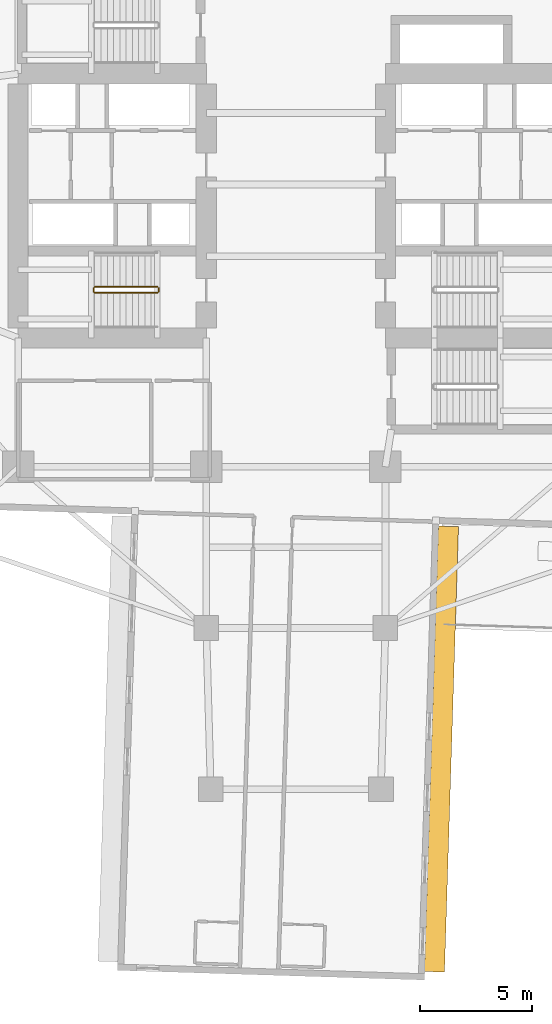
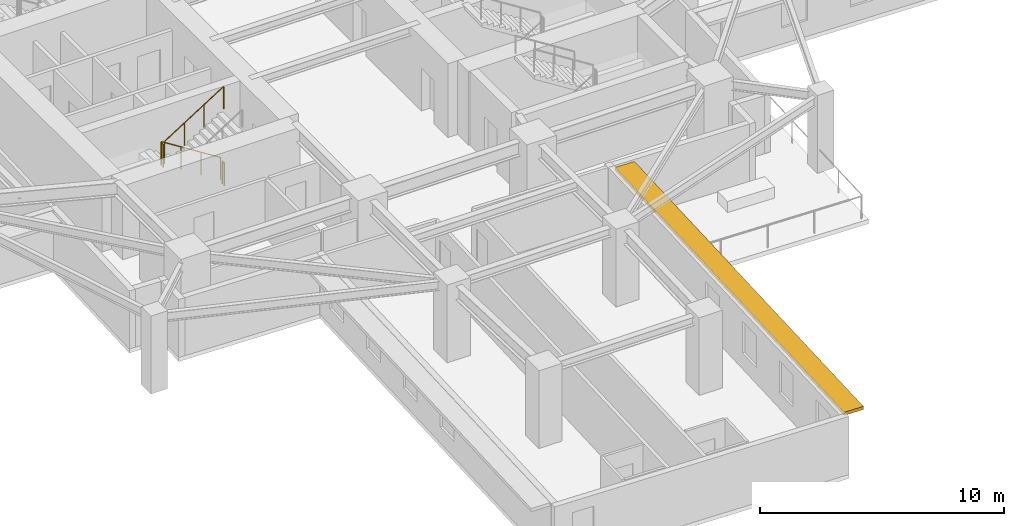
# One storey, part 10 of 13: 4 railings, 1 shading device.
"""IFC4 building model written with IfcOpenShell, lengths in metres."""

from ifc_helpers import new_model, si_unit, direction, frame, origin, origin_2d, place, context, subcontext, project, spatial, rectangle, circle, extrude, material, layer, layer_set, type_object, element, save


model = new_model("IFC4")

# Units and contexts
model_context = context("Model", 3, precision=1e-05, world=origin(), true_north=direction((0.0, 1.0)))
body_context = subcontext(model_context, "Body", "Model", "MODEL_VIEW")
ifc_project = project(units=[si_unit("LENGTHUNIT", "METRE"), si_unit("AREAUNIT", "SQUARE_METRE"), si_unit("VOLUMEUNIT", "CUBIC_METRE"), si_unit("PLANEANGLEUNIT", "RADIAN"), si_unit("MASSUNIT", "GRAM", prefix="KILO")], contexts=[model_context])

# Site, building, storey
site_placement = place(None, origin())
site = spatial("IfcSite", under=ifc_project, at=site_placement, CompositionType="ELEMENT")
building_placement = place(site_placement, origin())
building = spatial("IfcBuilding", under=site, at=building_placement, Name="Qingluan Cross Belvedere", CompositionType="ELEMENT")
storey_placement = place(building_placement, frame((0.0, 0.0, 71.699951171875)))
storey = spatial("IfcBuildingStorey", under=building, at=storey_placement, Name="L18", CompositionType="ELEMENT", Elevation=71.699951171875)

# Shading device
ifc_material_1 = material(Name="Precast concrete C45", Category="concrete")
ifc_layer = layer(ifc_material_1, 0.159912109375, Name="ConcreteSunshadeBand_900")
ifc_layer_set = layer_set([ifc_layer], Name="Precast concrete C45")
shading_device_type = type_object("IfcShadingDeviceType", Name="ConcreteSunshadeBand_900", PredefinedType="USERDEFINED", material=ifc_layer_set)
shading_device_placement = place(storey_placement, frame((6.50146484375, -25.206787109375, 2.72998046875), z_axis=(0.0, 0.0, 1.0), x_axis=(0.031407934627, 0.999506649124, 0.0)))
element("IfcShadingDevice", 1, at=shading_device_placement, inside=storey, type_object=shading_device_type, Name="Concrete SUNSHADE L18-SB", ObjectType="SUNSHADE", PredefinedType="USERDEFINED", context=body_context, shape_type="SweptSolid", body=[
    extrude(rectangle(XDim=19.89990234375, YDim=0.89990234375, at=origin_2d()), origin(), (0.0, 0.0, 1.0), 0.159912109375),
])

# Railings
ifc_material_2 = material(Name="Painted steel stair well guard", Category="steel")
railing_type = type_object("IfcRailingType", Name="StairWellGuard_1150", PredefinedType="BALUSTRADE", material=ifc_material_2)
railing_1_placement = place(storey_placement, frame((-6.179931640625, -4.570068359375, 0.17724609375)))
element("IfcRailing", 2, at=railing_1_placement, inside=storey, type_object=railing_type, Name="L18 ST1 stair guard 1", PredefinedType="BALUSTRADE", context=body_context, shape_type="SweptSolid", body=[
    extrude(circle(Radius=0.02392578125, at=origin_2d()), frame((0.0, 0.0, 1.1259765625), z_axis=(-0.844908973607, 0.0, 0.534910110503), x_axis=(0.0, -1.0, 0.0)), (0.0, 0.0, 1.0), 3.31396484375),
    extrude(circle(Radius=0.02099609375, at=origin_2d()), origin(), (0.0, 0.0, 1.0), 1.101806640625),
    extrude(circle(Radius=0.02099609375, at=origin_2d()), frame((-0.933349609375, 0.0, 0.5908203125)), (0.0, 0.0, 1.0), 1.101806640625),
    extrude(circle(Radius=0.02099609375, at=origin_2d()), frame((-1.86669921875, 0.0, 1.181884765625)), (0.0, 0.0, 1.0), 1.101806640625),
    extrude(circle(Radius=0.02099609375, at=origin_2d()), frame((-2.800048828125, 0.0, 1.772705078125)), (0.0, 0.0, 1.0), 1.101806640625),
])
railing_2_placement = place(storey_placement, frame((-9.030029296875, -4.6201171875, 1.949951171875)))
element("IfcRailing", 3, at=railing_2_placement, inside=storey, type_object=railing_type, Name="L18 ST1 stair guard 2", PredefinedType="BALUSTRADE", context=body_context, shape_type="SweptSolid", body=[
    extrude(circle(Radius=0.02392578125, at=origin_2d()), frame((0.0, 0.0, 1.1259765625), z_axis=(0.0, -1.0, 0.0), x_axis=(1.0, 0.0, 0.0)), (0.0, 0.0, 1.0), 0.159912109375),
    extrude(circle(Radius=0.02099609375, at=origin_2d()), origin(), (0.0, 0.0, 1.0), 1.101806640625),
    extrude(circle(Radius=0.02099609375, at=origin_2d()), frame((0.0, -0.159912109375, 0.0)), (0.0, 0.0, 1.0), 1.101806640625),
])
railing_3_placement = place(storey_placement, frame((-8.97998046875, -4.830078125, 2.12744140625)))
element("IfcRailing", 4, at=railing_3_placement, inside=storey, type_object=railing_type, Name="L18 ST1 stair guard 3", PredefinedType="BALUSTRADE", context=body_context, shape_type="SweptSolid", body=[
    extrude(circle(Radius=0.02392578125, at=origin_2d()), frame((0.0, 0.0, 1.1259765625), z_axis=(0.844908973607, 0.0, 0.534910110503), x_axis=(0.0, 1.0, 0.0)), (0.0, 0.0, 1.0), 3.31396484375),
    extrude(circle(Radius=0.02099609375, at=origin_2d()), origin(), (0.0, 0.0, 1.0), 1.101806640625),
    extrude(circle(Radius=0.02099609375, at=origin_2d()), frame((0.933349609375, 0.0, 0.5908203125)), (0.0, 0.0, 1.0), 1.101806640625),
    extrude(circle(Radius=0.02099609375, at=origin_2d()), frame((1.86669921875, 0.0, 1.181884765625)), (0.0, 0.0, 1.0), 1.101806640625),
    extrude(circle(Radius=0.02099609375, at=origin_2d()), frame((2.800048828125, 0.0, 1.772705078125)), (0.0, 0.0, 1.0), 1.101806640625),
])
railing_4_placement = place(storey_placement, frame((-6.1298828125, -4.6201171875, 0.0)))
element("IfcRailing", 5, at=railing_4_placement, inside=storey, type_object=railing_type, Name="L18 ST1 stair guard 4", PredefinedType="BALUSTRADE", context=body_context, shape_type="SweptSolid", body=[
    extrude(circle(Radius=0.02392578125, at=origin_2d()), frame((0.0, 0.0, 1.1259765625), z_axis=(0.0, -1.0, 0.0), x_axis=(1.0, 0.0, 0.0)), (0.0, 0.0, 1.0), 0.159912109375),
    extrude(circle(Radius=0.02099609375, at=origin_2d()), origin(), (0.0, 0.0, 1.0), 1.101806640625),
    extrude(circle(Radius=0.02099609375, at=origin_2d()), frame((0.0, -0.159912109375, 0.0)), (0.0, 0.0, 1.0), 1.101806640625),
])

save(model, "model.ifc")
